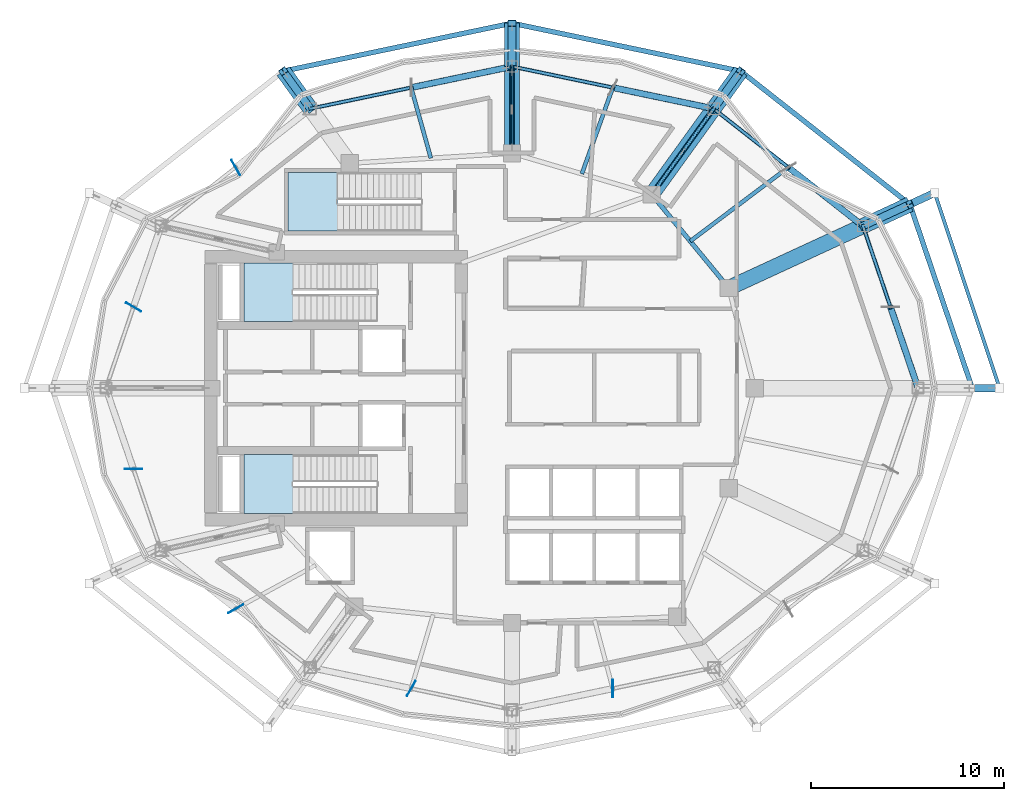
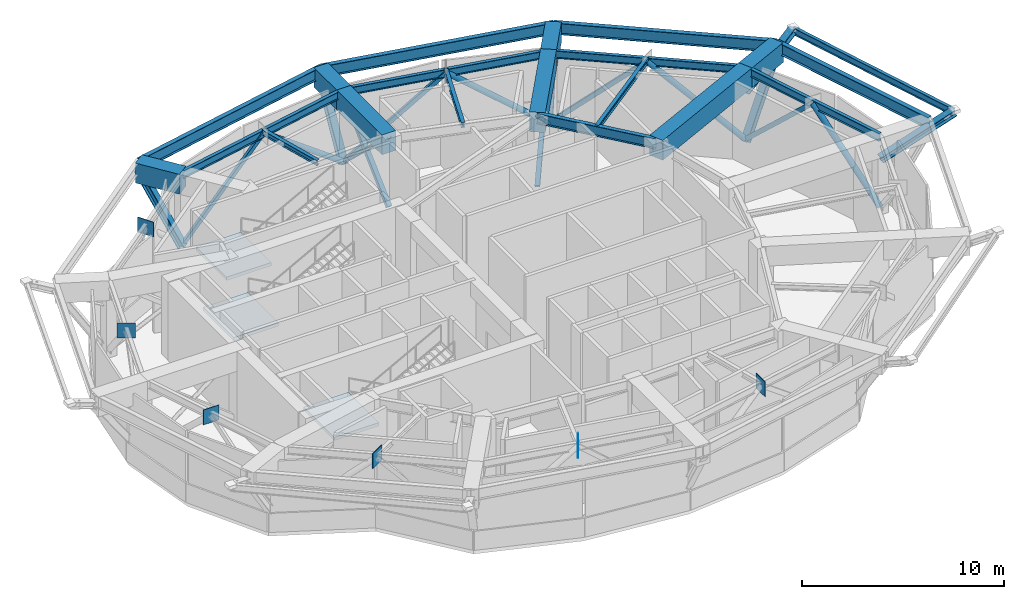
# One storey, part 3 of 13: 20 beams, 20 members, 6 plates, 3 slabs, 3 elements without a shape of their own.
"""IFC4 building model written with IfcOpenShell, lengths in metres."""

from ifc_helpers import new_model, si_unit, direction, frame, origin, origin_2d, place, context, subcontext, project, spatial, polyline, rectangle, hollow_rectangle, hollow_circle, i_section, outline, extrude, material, layer, layer_set, material_profile, profile_set, type_object, element, aggregate, save


model = new_model("IFC4")

# Units and contexts
model_context = context("Model", 3, precision=1e-05, world=origin(), true_north=direction((0.0, 1.0)))
body_context = subcontext(model_context, "Body", "Model", "MODEL_VIEW")
ifc_project = project(units=[si_unit("LENGTHUNIT", "METRE"), si_unit("AREAUNIT", "SQUARE_METRE"), si_unit("VOLUMEUNIT", "CUBIC_METRE"), si_unit("PLANEANGLEUNIT", "RADIAN"), si_unit("MASSUNIT", "GRAM", prefix="KILO")], contexts=[model_context])

# Site, building, storey
site_placement = place(None, origin())
site = spatial("IfcSite", under=ifc_project, at=site_placement, CompositionType="ELEMENT")
building_placement = place(site_placement, origin())
building = spatial("IfcBuilding", under=site, at=building_placement, Name="Kolvaren Gate Tower and Convention Centre", CompositionType="ELEMENT")
storey_placement = place(building_placement, frame((0.0, 0.0, 186.89990234375)))
storey = spatial("IfcBuildingStorey", under=building, at=storey_placement, Name="L49", CompositionType="ELEMENT", Elevation=186.89990234375)

# Beams
ifc_material_1 = material(Name="Structural steel ASTM A992 Grade 345 MPa", Category="steel")
ifc_material_profile_1 = material_profile(ifc_material_1, i_section(OverallWidth=0.22998046875, OverallDepth=0.616943359375, WebThickness=0.01318359375, FlangeThickness=0.022216796875, at=origin_2d()), Name="W610X140")
ifc_profile_set_1 = profile_set([ifc_material_profile_1], Name="Structural steel ASTM A992 Grade 345 MPa")
beam_type_1 = type_object("IfcBeamType", Name="STR-BM-W610X140", PredefinedType="BEAM", material=ifc_profile_set_1)
beam_1_placement = place(storey_placement, frame((41.382080078125, 32.199462890625, 4.41162109375), z_axis=(-0.635884066011, 0.771784590798, 0.0), x_axis=(-0.771784590798, -0.635884066011, 0.0)))
element("IfcBeam", 1, at=beam_1_placement, inside=storey, type_object=beam_type_1, Name="Tower L49 Primary Ring Girder G-02", PredefinedType="BEAM", context=body_context, shape_type="SweptSolid", body=[
    extrude(i_section(OverallWidth=0.22998046875, OverallDepth=0.616943359375, WebThickness=0.01318359375, FlangeThickness=0.022216796875, at=origin_2d()), origin(), (0.0, 0.0, 1.0), 6.291259765625),
])
ifc_material_profile_2 = material_profile(ifc_material_1, i_section(OverallWidth=0.256103515625, OverallDepth=0.693115234375, WebThickness=0.014404296875, FlangeThickness=0.023681640625, at=origin_2d()), Name="W690X170")
ifc_profile_set_2 = profile_set([ifc_material_profile_2], Name="Structural steel ASTM A992 Grade 345 MPa")
beam_type_2 = type_object("IfcBeamType", Name="STR-BM-W690X170", PredefinedType="BEAM", material=ifc_profile_set_2)
beam_2_placement = place(storey_placement, frame((54.02490234375, 27.0, 4.37353515625), z_axis=(-0.321252507379, 0.946993572577, 0.0), x_axis=(-0.946993572577, -0.321252507379, 0.0)))
element("IfcBeam", 2, at=beam_2_placement, inside=storey, type_object=beam_type_2, Name="Tower L49 Flare Perimeter Edge Girder FSP-01", PredefinedType="BEAM", context=body_context, shape_type="SweptSolid", body=[
    extrude(i_section(OverallWidth=0.256103515625, OverallDepth=0.693115234375, WebThickness=0.014404296875, FlangeThickness=0.023681640625, at=origin_2d()), origin(), (0.0, 0.0, 1.0), 10.077880859375),
])
beam_3_placement = place(storey_placement, frame((50.787353515625, 36.543701171875, 4.37353515625), z_axis=(-0.78579365551, 0.618488747643, 0.0), x_axis=(-0.618488747643, -0.78579365551, 0.0)))
element("IfcBeam", 3, at=beam_3_placement, inside=storey, type_object=beam_type_2, Name="Tower L49 Flare Perimeter Edge Girder FSP-02", PredefinedType="BEAM", context=body_context, shape_type="SweptSolid", body=[
    extrude(i_section(OverallWidth=0.256103515625, OverallDepth=0.693115234375, WebThickness=0.014404296875, FlangeThickness=0.023681640625, at=origin_2d()), origin(), (0.0, 0.0, 1.0), 11.179443359375),
])
for number, where, z_axis, x_axis, name in (
    (4, (42.002685546875, 43.4580078125, 4.37353515625), (-0.978692765917, 0.205330148645, 0.0), (-0.205330148645, -0.978692765917, 0.0), "Tower L49 Flare Perimeter Edge Girder FSP-03"),
    (5, (30.125, 45.949951171875, 4.37353515625), (-0.978692765917, -0.205330148645, 0.0), (0.205330148645, -0.978692765917, 0.0), "Tower L49 Flare Perimeter Edge Girder FSP-04"),
):
    element("IfcBeam", number, at=place(storey_placement, frame(where, z_axis=z_axis, x_axis=x_axis)), inside=storey, type_object=beam_type_2, Name=name, PredefinedType="BEAM", context=body_context, shape_type="SweptSolid", body=[
        extrude(i_section(OverallWidth=0.256103515625, OverallDepth=0.693115234375, WebThickness=0.014404296875, FlangeThickness=0.023681640625, at=origin_2d()), origin(), (0.0, 0.0, 1.0), 12.13623046875),
    ])

# Members
ifc_material_2 = material(Name="Structural steel ASTM A500 Grade C 345 MPa", Category="steel")
ifc_material_profile_3 = material_profile(ifc_material_2, hollow_circle(Radius=0.162109375, WallThickness=0.015869140625, at=origin_2d()), Name="CHS324X15.9")
ifc_profile_set_3 = profile_set([ifc_material_profile_3], Name="Structural steel ASTM A500 Grade C 345 MPa")
member_type_1 = type_object("IfcMemberType", Name="STR-BR-CHS324", PredefinedType="BRACE", material=ifc_profile_set_3)
member_1_placement = place(storey_placement, frame((51.21240234375, 27.0, 0.25), z_axis=(-0.232953891756, 0.6855023123, 0.689796393254), x_axis=(-0.946821940386, -0.321758004102, 0.0)))
element("IfcMember", 6, at=member_1_placement, inside=storey, type_object=member_type_1, Name="Perimeter Belt Truss Diagonal BT-L49-01A", PredefinedType="BRACE", context=body_context, shape_type="SweptSolid", body=[
    extrude(hollow_circle(Radius=0.162109375, WallThickness=0.015869140625, at=origin_2d()), origin(), (0.0, 0.0, 1.0), 6.140380859375),
])
member_2_placement = place(storey_placement, frame((48.351806640625, 35.418701171875, 0.25), z_axis=(-0.596558258833, 0.468517768727, 0.65162055232), x_axis=(-0.617653154697, -0.786450621777, 0.0)))
element("IfcMember", 7, at=member_2_placement, inside=storey, type_object=member_type_1, Name="Perimeter Belt Truss Diagonal BT-L49-02A", PredefinedType="BRACE", context=body_context, shape_type="SweptSolid", body=[
    extrude(hollow_circle(Radius=0.162109375, WallThickness=0.015869140625, at=origin_2d()), origin(), (0.0, 0.0, 1.0), 6.5),
])
member_3_placement = place(storey_placement, frame((40.596435546875, 41.509521484375, 0.25), z_axis=(-0.767377133118, 0.160517290831, 0.620778974283), x_axis=(-0.204745195671, -0.978815306812, 0.0)))
element("IfcMember", 8, at=member_3_placement, inside=storey, type_object=member_type_1, Name="Perimeter Belt Truss Diagonal BT-L49-03A", PredefinedType="BRACE", context=body_context, shape_type="SweptSolid", body=[
    extrude(hollow_circle(Radius=0.162109375, WallThickness=0.015869140625, at=origin_2d()), origin(), (0.0, 0.0, 1.0), 6.822998046875),
])
member_4_placement = place(storey_placement, frame((30.125, 43.699951171875, 0.25), z_axis=(-0.767362421445, -0.160521698419, 0.620796020035), x_axis=(0.204754342865, -0.978813393389, 0.0)))
element("IfcMember", 9, at=member_4_placement, inside=storey, type_object=member_type_1, Name="Perimeter Belt Truss Diagonal BT-L49-04A", PredefinedType="BRACE", context=body_context, shape_type="SweptSolid", body=[
    extrude(hollow_circle(Radius=0.162109375, WallThickness=0.015869140625, at=origin_2d()), origin(), (0.0, 0.0, 1.0), 6.82275390625),
])
ifc_material_profile_4 = material_profile(ifc_material_2, hollow_rectangle(XDim=0.152099609375, YDim=0.25390625, WallThickness=0.009521484375, at=origin_2d()), Name="HSS254X152X9.5")
ifc_profile_set_4 = profile_set([ifc_material_profile_4], Name="Structural steel ASTM A500 Grade C 345 MPa")
member_type_2 = type_object("IfcMemberType", Name="STR-BR-HSS254X152", PredefinedType="BRACE", material=ifc_profile_set_4)
member_5_placement = place(storey_placement, frame((48.351806640625, 35.418701171875, 0.25), z_axis=(0.232909940592, -0.685529736374, 0.689783980765), x_axis=(0.946844353058, 0.321692043859, 0.0)))
element("IfcMember", 10, at=member_5_placement, inside=storey, type_object=member_type_2, Name="Perimeter Belt Truss Diagonal BT-L49-01B", PredefinedType="BRACE", context=body_context, shape_type="SweptSolid", body=[
    extrude(hollow_rectangle(XDim=0.152099609375, YDim=0.25390625, WallThickness=0.009521484375, at=origin_2d()), origin(), (0.0, 0.0, 1.0), 6.140380859375),
])
member_6_placement = place(storey_placement, frame((40.596435546875, 41.509521484375, 0.25), z_axis=(0.596558258833, -0.468517768727, 0.65162055232), x_axis=(0.617653154697, 0.786450621777, 0.0)))
element("IfcMember", 11, at=member_6_placement, inside=storey, type_object=member_type_2, Name="Perimeter Belt Truss Diagonal BT-L49-02B", PredefinedType="BRACE", context=body_context, shape_type="SweptSolid", body=[
    extrude(hollow_rectangle(XDim=0.152099609375, YDim=0.25390625, WallThickness=0.009521484375, at=origin_2d()), origin(), (0.0, 0.0, 1.0), 6.5),
])
for number, where, z_axis, x_axis, name in (
    (12, (30.125, 43.699951171875, 0.25), (0.767362421445, -0.160521698419, 0.620796020035), (0.204754342865, 0.978813393389, 0.0), "Perimeter Belt Truss Diagonal BT-L49-03B"),
    (13, (19.65380859375, 41.509521484375, 0.25), (0.767362421445, 0.160521698419, 0.620796020035), (-0.204754342865, 0.978813393389, 0.0), "Perimeter Belt Truss Diagonal BT-L49-04B"),
):
    element("IfcMember", number, at=place(storey_placement, frame(where, z_axis=z_axis, x_axis=x_axis)), inside=storey, type_object=member_type_2, Name=name, PredefinedType="BRACE", context=body_context, shape_type="SweptSolid", body=[
        extrude(hollow_rectangle(XDim=0.152099609375, YDim=0.25390625, WallThickness=0.009521484375, at=origin_2d()), origin(), (0.0, 0.0, 1.0), 6.82275390625),
    ])
ifc_material_profile_5 = material_profile(ifc_material_2, hollow_rectangle(XDim=0.25390625, YDim=0.25390625, WallThickness=0.015869140625, at=origin_2d()), Name="HSS254X254X15.9")
ifc_profile_set_5 = profile_set([ifc_material_profile_5], Name="Structural steel ASTM A500 Grade C 345 MPa")
member_type_3 = type_object("IfcMemberType", Name="STR-BR-HSS254X254", PredefinedType="BRACE", material=ifc_profile_set_5)
member_7_placement = place(storey_placement, frame((37.381591796875, 37.054931640625, 0.25), z_axis=(0.463449263267, 0.642170052974, 0.610600035572), x_axis=(-0.810883088169, 0.58520818289, 0.0)))
element("IfcMember", 14, at=member_7_placement, inside=storey, type_object=member_type_3, Name="Outrigger Truss Diagonal OT-L49-04A", PredefinedType="BRACE", context=body_context, shape_type="SweptSolid", body=[
    extrude(hollow_rectangle(XDim=0.25390625, YDim=0.25390625, WallThickness=0.015869140625, at=origin_2d()), origin(), (0.0, 0.0, 1.0), 6.936767578125),
])
member_8_placement = place(storey_placement, frame((30.125, 39.199951171875, 0.25), z_axis=(0.0, 0.728175636205, 0.685390576852), x_axis=(-1.0, 0.0, 0.0)))
element("IfcMember", 15, at=member_8_placement, inside=storey, type_object=member_type_3, Name="Outrigger Truss Diagonal OT-L49-05A", PredefinedType="BRACE", context=body_context, shape_type="SweptSolid", body=[
    extrude(hollow_rectangle(XDim=0.25390625, YDim=0.25390625, WallThickness=0.015869140625, at=origin_2d()), origin(), (0.0, 0.0, 1.0), 6.179931640625),
])
ifc_material_profile_6 = material_profile(ifc_material_1, i_section(OverallWidth=0.39501953125, OverallDepth=0.3798828125, WebThickness=0.018798828125, FlangeThickness=0.0302734375, at=origin_2d()), Name="W360X237")
ifc_profile_set_6 = profile_set([ifc_material_profile_6], Name="Structural steel ASTM A992 Grade 345 MPa")
member_type_4 = type_object("IfcMemberType", Name="STR-CH-W360X237", PredefinedType="CHORD", material=ifc_profile_set_6)
member_9_placement = place(storey_placement, frame((48.351806640625, 35.418701171875, 0.10009765625), z_axis=(0.503939045446, 0.232773769187, 0.831782309774), x_axis=(-0.41933515781, 0.907831496162, 0.0)))
element("IfcMember", 16, at=member_9_placement, inside=storey, type_object=member_type_4, Name="Waist Flare Inclined Transfer Strut FTS-02", PredefinedType="CHORD", context=body_context, shape_type="SweptSolid", body=[
    extrude(i_section(OverallWidth=0.39501953125, OverallDepth=0.3798828125, WebThickness=0.018798828125, FlangeThickness=0.0302734375, at=origin_2d()), origin(), (0.0, 0.0, 1.0), 4.8330078125),
])
member_10_placement = place(storey_placement, frame((40.596435546875, 41.509521484375, 0.10009765625), z_axis=(0.30025948463, 0.416036622713, 0.858345950332), x_axis=(-0.810874759264, 0.585219723513, 0.0)))
element("IfcMember", 17, at=member_10_placement, inside=storey, type_object=member_type_4, Name="Waist Flare Inclined Transfer Strut FTS-03", PredefinedType="CHORD", context=body_context, shape_type="SweptSolid", body=[
    extrude(i_section(OverallWidth=0.39501953125, OverallDepth=0.3798828125, WebThickness=0.018798828125, FlangeThickness=0.0302734375, at=origin_2d()), origin(), (0.0, 0.0, 1.0), 4.683349609375),
])
member_11_placement = place(storey_placement, frame((30.125, 43.699951171875, 0.10009765625), z_axis=(0.0, 0.488403252613, 0.872618050946), x_axis=(-1.0, 0.0, 0.0)))
element("IfcMember", 18, at=member_11_placement, inside=storey, type_object=member_type_4, Name="Waist Flare Inclined Transfer Strut FTS-04", PredefinedType="CHORD", context=body_context, shape_type="SweptSolid", body=[
    extrude(i_section(OverallWidth=0.39501953125, OverallDepth=0.3798828125, WebThickness=0.018798828125, FlangeThickness=0.0302734375, at=origin_2d()), origin(), (0.0, 0.0, 1.0), 4.60693359375),
])
member_12_placement = place(storey_placement, frame((19.65380859375, 41.509521484375, 0.10009765625), z_axis=(-0.300306912225, 0.416030110479, 0.858332514615), x_axis=(-0.810826545818, -0.585286521797, 0.0)))
element("IfcMember", 19, at=member_12_placement, inside=storey, type_object=member_type_4, Name="Waist Flare Inclined Transfer Strut FTS-05", PredefinedType="CHORD", context=body_context, shape_type="SweptSolid", body=[
    extrude(i_section(OverallWidth=0.39501953125, OverallDepth=0.3798828125, WebThickness=0.018798828125, FlangeThickness=0.0302734375, at=origin_2d()), origin(), (0.0, 0.0, 1.0), 4.68359375),
])
member_13_placement = place(storey_placement, frame((51.21240234375, 27.0, 3.170166015625), z_axis=(0.950055194277, 0.0, 0.312081924866), x_axis=(0.0, 1.0, 0.0)))
element("IfcMember", 20, at=member_13_placement, inside=storey, type_object=member_type_4, Name="Tower L50 Planted Balcony Inclined Outrigger Strut BBRK-1A", PredefinedType="CHORD", context=body_context, shape_type="SweptSolid", body=[
    extrude(i_section(OverallWidth=0.39501953125, OverallDepth=0.3798828125, WebThickness=0.018798828125, FlangeThickness=0.0302734375, at=origin_2d()), origin(), (0.0, 0.0, 1.0), 4.455078125),
])
member_14_placement = place(storey_placement, frame((48.351806640625, 35.418701171875, 3.170166015625), z_axis=(0.85981753301, 0.397107651913, 0.32096623299), x_axis=(-0.419292130897, 0.907851369425, 0.0)))
element("IfcMember", 21, at=member_14_placement, inside=storey, type_object=member_type_4, Name="Tower L50 Planted Balcony Inclined Outrigger Strut BBRK-1B", PredefinedType="CHORD", context=body_context, shape_type="SweptSolid", body=[
    extrude(i_section(OverallWidth=0.39501953125, OverallDepth=0.3798828125, WebThickness=0.018798828125, FlangeThickness=0.0302734375, at=origin_2d()), origin(), (0.0, 0.0, 1.0), 4.331787109375),
])

# Beams
ifc_material_profile_7 = material_profile(ifc_material_1, i_section(OverallWidth=0.205078125, OverallDepth=0.31005859375, WebThickness=0.009521484375, FlangeThickness=0.016357421875, at=origin_2d()), Name="W310X74")
ifc_profile_set_7 = profile_set([ifc_material_profile_7], Name="Structural steel ASTM A992 Grade 345 MPa")
beam_type_3 = type_object("IfcBeamType", Name="STR-JS-W310X74", PredefinedType="JOIST", material=ifc_profile_set_7)
beam_4_placement = place(storey_placement, frame((39.3818359375, 34.627197265625, 4.565185546875), z_axis=(0.798665513939, 0.601775204577, 0.0), x_axis=(-0.601775204577, 0.798665513939, 0.0)))
element("IfcBeam", 22, at=beam_4_placement, inside=storey, type_object=beam_type_3, Name="Tower L49 Secondary Composite Floor Joist J-02.1", PredefinedType="JOIST", context=body_context, shape_type="SweptSolid", body=[
    extrude(i_section(OverallWidth=0.205078125, OverallDepth=0.31005859375, WebThickness=0.009521484375, FlangeThickness=0.016357421875, at=origin_2d()), origin(), (0.0, 0.0, 1.0), 6.3759765625),
])
beam_5_placement = place(storey_placement, frame((33.75341796875, 38.12744140625, 4.565185546875), z_axis=(0.33785426197, 0.941198436924, 0.0), x_axis=(-0.941198436924, 0.33785426197, 0.0)))
element("IfcBeam", 23, at=beam_5_placement, inside=storey, type_object=beam_type_3, Name="Tower L49 Secondary Composite Floor Joist J-03.1", PredefinedType="JOIST", context=body_context, shape_type="SweptSolid", body=[
    extrude(i_section(OverallWidth=0.205078125, OverallDepth=0.31005859375, WebThickness=0.009521484375, FlangeThickness=0.016357421875, at=origin_2d()), origin(), (0.0, 0.0, 1.0), 4.757080078125),
])
beam_6_placement = place(storey_placement, frame((25.91162109375, 38.938232421875, 4.565185546875), z_axis=(-0.26855678261, 0.963263855085, 0.0), x_axis=(-0.963263855085, -0.26855678261, 0.0)))
element("IfcBeam", 24, at=beam_6_placement, inside=storey, type_object=beam_type_3, Name="Tower L49 Secondary Composite Floor Joist J-04.1", PredefinedType="JOIST", context=body_context, shape_type="SweptSolid", body=[
    extrude(i_section(OverallWidth=0.205078125, OverallDepth=0.31005859375, WebThickness=0.009521484375, FlangeThickness=0.016357421875, at=origin_2d()), origin(), (0.0, 0.0, 1.0), 3.806396484375),
])
ifc_material_profile_8 = material_profile(ifc_material_1, i_section(OverallWidth=0.180908203125, OverallDepth=0.4169921875, WebThickness=0.010986328125, FlangeThickness=0.018310546875, at=origin_2d()), Name="W410X85")
ifc_profile_set_8 = profile_set([ifc_material_profile_8], Name="Structural steel ASTM A992 Grade 345 MPa")
beam_type_4 = type_object("IfcBeamType", Name="STR-SP-W410X85", PredefinedType="SPANDREL", material=ifc_profile_set_8)
beam_7_placement = place(storey_placement, frame((55.445068359375, 27.0, 4.51220703125), z_axis=(-0.315302138185, 0.948991339084, 0.0), x_axis=(-0.948991339084, -0.315302138185, 0.0)))
element("IfcBeam", 25, at=beam_7_placement, inside=storey, type_object=beam_type_4, Name="Tower L50 Planted Balcony Header Tie Beam BT-1", PredefinedType="SPANDREL", context=body_context, shape_type="SweptSolid", body=[
    extrude(i_section(OverallWidth=0.180908203125, OverallDepth=0.4169921875, WebThickness=0.010986328125, FlangeThickness=0.018310546875, at=origin_2d()), origin(), (0.0, 0.0, 1.0), 10.683837890625),
])
ifc_material_profile_9 = material_profile(ifc_material_1, i_section(OverallWidth=0.194091796875, OverallDepth=0.468994140625, WebThickness=0.0126953125, FlangeThickness=0.0205078125, at=origin_2d()), Name="W460X106")
ifc_profile_set_9 = profile_set([ifc_material_profile_9], Name="Structural steel ASTM A992 Grade 345 MPa")
beam_type_5 = type_object("IfcBeamType", Name="STR-SP-W460X106", PredefinedType="SPANDREL", material=ifc_profile_set_9)
beam_8_placement = place(storey_placement, frame((51.21240234375, 27.0, 4.485595703125), z_axis=(-0.321725023609, 0.946833147489, 0.0), x_axis=(-0.946833147489, -0.321725023609, 0.0)))
element("IfcBeam", 26, at=beam_8_placement, inside=storey, type_object=beam_type_5, Name="Tower L49 Perimeter Spandrel Beam SP-01", PredefinedType="SPANDREL", context=body_context, shape_type="SweptSolid", body=[
    extrude(i_section(OverallWidth=0.194091796875, OverallDepth=0.468994140625, WebThickness=0.0126953125, FlangeThickness=0.0205078125, at=origin_2d()), origin(), (0.0, 0.0, 1.0), 8.891357421875),
])
beam_9_placement = place(storey_placement, frame((48.351806640625, 35.418701171875, 4.485595703125), z_axis=(-0.786450621777, 0.617653154697, 0.0), x_axis=(-0.617653154697, -0.786450621777, 0.0)))
element("IfcBeam", 27, at=beam_9_placement, inside=storey, type_object=beam_type_5, Name="Tower L49 Perimeter Spandrel Beam SP-02", PredefinedType="SPANDREL", context=body_context, shape_type="SweptSolid", body=[
    extrude(i_section(OverallWidth=0.194091796875, OverallDepth=0.468994140625, WebThickness=0.0126953125, FlangeThickness=0.0205078125, at=origin_2d()), origin(), (0.0, 0.0, 1.0), 9.861328125),
])
beam_10_placement = place(storey_placement, frame((40.596435546875, 41.509521484375, 4.485595703125), z_axis=(-0.978814350133, 0.204749769168, 0.0), x_axis=(-0.204749769168, -0.978814350133, 0.0)))
element("IfcBeam", 28, at=beam_10_placement, inside=storey, type_object=beam_type_5, Name="Tower L49 Perimeter Spandrel Beam SP-03", PredefinedType="SPANDREL", context=body_context, shape_type="SweptSolid", body=[
    extrude(i_section(OverallWidth=0.194091796875, OverallDepth=0.468994140625, WebThickness=0.0126953125, FlangeThickness=0.0205078125, at=origin_2d()), origin(), (0.0, 0.0, 1.0), 10.697998046875),
])
beam_11_placement = place(storey_placement, frame((30.125, 43.699951171875, 4.485595703125), z_axis=(-0.978813393389, -0.204754342865, 0.0), x_axis=(0.204754342865, -0.978813393389, 0.0)))
element("IfcBeam", 29, at=beam_11_placement, inside=storey, type_object=beam_type_5, Name="Tower L49 Perimeter Spandrel Beam SP-04", PredefinedType="SPANDREL", context=body_context, shape_type="SweptSolid", body=[
    extrude(i_section(OverallWidth=0.194091796875, OverallDepth=0.468994140625, WebThickness=0.0126953125, FlangeThickness=0.0205078125, at=origin_2d()), origin(), (0.0, 0.0, 1.0), 10.69775390625),
])

# Members
ifc_material_profile_10 = material_profile(ifc_material_2, hollow_circle(Radius=0.109619140625, WallThickness=0.0126953125, at=origin_2d()), Name="CHS219X12.7")
ifc_profile_set_10 = profile_set([ifc_material_profile_10], Name="Structural steel ASTM A500 Grade C 345 MPa")
member_type_5 = type_object("IfcMemberType", Name="STR-ST-CHS219", PredefinedType="STRUT", material=ifc_profile_set_10)
member_15_placement = place(storey_placement, frame((40.596435546875, 41.509521484375, 0.25), z_axis=(-0.463439303712, -0.642156252698, 0.610622108096), x_axis=(0.810883088169, -0.58520818289, 0.0)))
element("IfcMember", 30, at=member_15_placement, inside=storey, type_object=member_type_5, Name="Outrigger Truss Lower Counter-Strut OT-L49-04BA", PredefinedType="STRUT", context=body_context, shape_type="SweptSolid", body=[
    extrude(hollow_circle(Radius=0.109619140625, WallThickness=0.0126953125, at=origin_2d()), origin(), (0.0, 0.0, 1.0), 3.468505859375),
])
member_16_placement = place(storey_placement, frame((38.989013671875, 39.2822265625, 2.367919921875), z_axis=(-0.463459222889, -0.642183853344, 0.610577961625), x_axis=(0.810883088169, -0.58520818289, 0.0)))
element("IfcMember", 31, at=member_16_placement, inside=storey, type_object=member_type_5, Name="Outrigger Truss Upper Counter-Strut OT-L49-04BB", PredefinedType="STRUT", context=body_context, shape_type="SweptSolid", body=[
    extrude(hollow_circle(Radius=0.109619140625, WallThickness=0.0126953125, at=origin_2d()), origin(), (0.0, 0.0, 1.0), 3.46826171875),
])
member_17_placement = place(storey_placement, frame((30.125, 43.699951171875, 0.25), z_axis=(0.0, -0.728155919569, 0.685411523683), x_axis=(1.0, 0.0, 0.0)))
element("IfcMember", 32, at=member_17_placement, inside=storey, type_object=member_type_5, Name="Outrigger Truss Lower Counter-Strut OT-L49-05BA", PredefinedType="STRUT", context=body_context, shape_type="SweptSolid", body=[
    extrude(hollow_circle(Radius=0.109619140625, WallThickness=0.0126953125, at=origin_2d()), origin(), (0.0, 0.0, 1.0), 3.090087890625),
])
member_18_placement = place(storey_placement, frame((30.125, 41.449951171875, 2.367919921875), z_axis=(0.0, -0.728195353307, 0.685369628319), x_axis=(1.0, 0.0, 0.0)))
element("IfcMember", 33, at=member_18_placement, inside=storey, type_object=member_type_5, Name="Outrigger Truss Upper Counter-Strut OT-L49-05BB", PredefinedType="STRUT", context=body_context, shape_type="SweptSolid", body=[
    extrude(hollow_circle(Radius=0.109619140625, WallThickness=0.0126953125, at=origin_2d()), origin(), (0.0, 0.0, 1.0), 3.08984375),
])

# Beams
ifc_material_3 = material(Name="Concrete C70/85", Category="concrete")
ifc_material_profile_11 = material_profile(ifc_material_3, rectangle(XDim=0.800048828125, YDim=1.199951171875, at=origin_2d()), Name="RC-BM-800X1200")
ifc_profile_set_11 = profile_set([ifc_material_profile_11], Name="Concrete C70/85")
beam_type_6 = type_object("IfcBeamType", Name="STR-TG-RC800X1200", PredefinedType="USERDEFINED", material=ifc_profile_set_11)
beam_12_placement = place(storey_placement, frame((41.382080078125, 32.199462890625, 4.12060546875), z_axis=(0.907838349939, 0.419320319542, 0.0), x_axis=(-0.419320319542, 0.907838349939, 0.0)))
element("IfcBeam", 34, at=beam_12_placement, inside=storey, type_object=beam_type_6, Name="Tower L49 Zone-Transition Radial Transfer Girder XFG-02A", ObjectType="TRANSFER GIRDER", PredefinedType="USERDEFINED", context=body_context, shape_type="SweptSolid", body=[
    extrude(rectangle(XDim=0.800048828125, YDim=1.199951171875, at=origin_2d()), origin(), (0.0, 0.0, 1.0), 7.67724609375),
])
beam_13_placement = place(storey_placement, frame((48.351806640625, 35.418701171875, 4.12060546875), z_axis=(0.907831496162, 0.41933515781, 0.0), x_axis=(-0.41933515781, 0.907831496162, 0.0)))
element("IfcBeam", 35, at=beam_13_placement, inside=storey, type_object=beam_type_6, Name="Tower L49 Zone-Transition Radial Transfer Girder XFG-02B", ObjectType="TRANSFER GIRDER", PredefinedType="USERDEFINED", context=body_context, shape_type="SweptSolid", body=[
    extrude(rectangle(XDim=0.800048828125, YDim=1.199951171875, at=origin_2d()), origin(), (0.0, 0.0, 1.0), 2.682861328125),
])
beam_14_placement = place(storey_placement, frame((37.381591796875, 37.054931640625, 4.12060546875), z_axis=(0.58520818289, 0.810883088169, 0.0), x_axis=(-0.810883088169, 0.58520818289, 0.0)))
element("IfcBeam", 36, at=beam_14_placement, inside=storey, type_object=beam_type_6, Name="Tower L49 Zone-Transition Radial Transfer Girder XFG-03A", ObjectType="TRANSFER GIRDER", PredefinedType="USERDEFINED", context=body_context, shape_type="SweptSolid", body=[
    extrude(rectangle(XDim=0.800048828125, YDim=1.199951171875, at=origin_2d()), origin(), (0.0, 0.0, 1.0), 5.493408203125),
])
beam_15_placement = place(storey_placement, frame((40.596435546875, 41.509521484375, 4.12060546875), z_axis=(0.585219723513, 0.810874759264, 0.0), x_axis=(-0.810874759264, 0.585219723513, 0.0)))
element("IfcBeam", 37, at=beam_15_placement, inside=storey, type_object=beam_type_6, Name="Tower L49 Zone-Transition Radial Transfer Girder XFG-03B", ObjectType="TRANSFER GIRDER", PredefinedType="USERDEFINED", context=body_context, shape_type="SweptSolid", body=[
    extrude(rectangle(XDim=0.800048828125, YDim=1.199951171875, at=origin_2d()), origin(), (0.0, 0.0, 1.0), 2.40283203125),
])
beam_16_placement = place(storey_placement, frame((30.125, 39.199951171875, 4.12060546875), z_axis=(0.0, 1.0, 0.0), x_axis=(-1.0, 0.0, 0.0)))
element("IfcBeam", 38, at=beam_16_placement, inside=storey, type_object=beam_type_6, Name="Tower L49 Zone-Transition Radial Transfer Girder XFG-04A", ObjectType="TRANSFER GIRDER", PredefinedType="USERDEFINED", context=body_context, shape_type="SweptSolid", body=[
    extrude(rectangle(XDim=0.800048828125, YDim=1.199951171875, at=origin_2d()), origin(), (0.0, 0.0, 1.0), 4.5),
])
beam_17_placement = place(storey_placement, frame((30.125, 43.699951171875, 4.12060546875), z_axis=(0.0, 1.0, 0.0), x_axis=(-1.0, 0.0, 0.0)))
element("IfcBeam", 39, at=beam_17_placement, inside=storey, type_object=beam_type_6, Name="Tower L49 Zone-Transition Radial Transfer Girder XFG-04B", ObjectType="TRANSFER GIRDER", PredefinedType="USERDEFINED", context=body_context, shape_type="SweptSolid", body=[
    extrude(rectangle(XDim=0.800048828125, YDim=1.199951171875, at=origin_2d()), origin(), (0.0, 0.0, 1.0), 2.25),
])
beam_18_placement = place(storey_placement, frame((19.65380859375, 41.509521484375, 4.12060546875), z_axis=(-0.585286521797, 0.810826545818, 0.0), x_axis=(-0.810826545818, -0.585286521797, 0.0)))
element("IfcBeam", 40, at=beam_18_placement, inside=storey, type_object=beam_type_6, Name="Tower L49 Zone-Transition Radial Transfer Girder XFG-05B", ObjectType="TRANSFER GIRDER", PredefinedType="USERDEFINED", context=body_context, shape_type="SweptSolid", body=[
    extrude(rectangle(XDim=0.800048828125, YDim=1.199951171875, at=origin_2d()), origin(), (0.0, 0.0, 1.0), 2.403076171875),
])

# Plates
ifc_material_4 = material(Name="Structural steel plate ASTM A572 Grade 345 MPa", Category="steel")
ifc_layer_1 = layer(ifc_material_4, 0.035888671875)
ifc_layer_set_1 = layer_set([ifc_layer_1], Name="Structural steel plate ASTM A572 Grade 345 MPa")
plate_type = type_object("IfcPlateType", Name="STR-PL-GUSSET-36", PredefinedType="USERDEFINED", material=ifc_layer_set_1)
for number, where, z_axis, x_axis, name in (
    (41, (15.77587890625, 38.464111328125, 4.03564453125), (0.0, 0.0, 1.0), (-0.5, 0.866025403784, 0.0), "Belt Truss Concentric Node Gusset Plate GP-L49-05"),
    (42, (10.468017578125, 31.209228515625, 4.03564453125), (0.0, 0.0, 1.0), (-0.866025403784, 0.5, 0.0), "Belt Truss Concentric Node Gusset Plate GP-L49-06"),
    (43, (10.468017578125, 22.790771484375, 4.03564453125), (0.0, 0.0, 1.0), (-1.0, 0.0, 0.0), "Belt Truss Concentric Node Gusset Plate GP-L49-07"),
    (44, (15.77587890625, 15.535888671875, 4.03564453125), (0.0, 0.0, 1.0), (-0.866025403784, -0.5, 0.0), "Belt Truss Concentric Node Gusset Plate GP-L49-08"),
    (45, (24.889404296875, 11.395263671875, 4.03564453125), (0.0, 0.0, 1.0), (-0.5, -0.866025403784, 0.0), "Belt Truss Concentric Node Gusset Plate GP-L49-09"),
    (46, (35.360595703125, 11.395263671875, 4.03564453125), (0.0, 0.0, 1.0), (0.0, -1.0, 0.0), "Belt Truss Concentric Node Gusset Plate GP-L49-10"),
):
    element("IfcPlate", number, at=place(storey_placement, frame(where, z_axis=z_axis, x_axis=x_axis)), inside=storey, type_object=plate_type, Name=name, ObjectType="GUSSET PLATE", PredefinedType="USERDEFINED", context=body_context, shape_type="SweptSolid", body=[
        extrude(rectangle(XDim=0.89990234375, YDim=0.035888671875, at=origin_2d()), origin(), (0.0, 0.0, 1.0), 0.89990234375),
    ])

# Stair, slab
ifc_material_5 = material(Name="Concrete C50/60", Category="concrete")
stair_type = type_object("IfcStairType", Name="STR-STAIR-CORE", PredefinedType="HALF_TURN_STAIR", material=ifc_material_5)
stair_1_placement = place(storey_placement, origin())
stair_1 = element("IfcStair", 47, at=stair_1_placement, inside=storey, type_object=stair_type, Name="L49 Tower North Exit Stair ST-T1", PredefinedType="HALF_TURN_STAIR")
ifc_layer_2 = layer(ifc_material_5, 0.199951171875)
ifc_layer_set_2 = layer_set([ifc_layer_2], Name="Concrete C50/60")
slab_type = type_object("IfcSlabType", Name="STR-SL-LAND-200", PredefinedType="LANDING", material=ifc_layer_set_2)
slab_1_placement = place(storey_placement, frame((0.0, 0.0, 2.300048828125)))
slab_1 = element("IfcSlab", 48, at=slab_1_placement, type_object=slab_type, Name="ST-T1 landing 1", PredefinedType="LANDING", context=body_context, shape_type="SweptSolid", body=[
    extrude(outline(polyline([(18.760009765625, 33.5), (16.199951171875, 33.5), (16.199951171875, 30.4599609375), (18.760009765625, 30.4599609375), (18.760009765625, 33.5)])), origin(), (0.0, 0.0, 1.0), 0.199951171875),
])
aggregate(stair_1, [slab_1])

stair_2_placement = place(storey_placement, origin())
stair_2 = element("IfcStair", 49, at=stair_2_placement, inside=storey, type_object=stair_type, Name="L49 Tower South Exit Stair ST-T2", PredefinedType="HALF_TURN_STAIR")
slab_2_placement = place(storey_placement, frame((0.0, 0.0, 2.300048828125)))
slab_2 = element("IfcSlab", 50, at=slab_2_placement, type_object=slab_type, Name="ST-T2 landing 1", PredefinedType="LANDING", context=body_context, shape_type="SweptSolid", body=[
    extrude(outline(polyline([(18.760009765625, 23.5400390625), (16.199951171875, 23.5400390625), (16.199951171875, 20.5), (18.760009765625, 20.5), (18.760009765625, 23.5400390625)])), origin(), (0.0, 0.0, 1.0), 0.199951171875),
])
aggregate(stair_2, [slab_2])

stair_3_placement = place(storey_placement, origin())
stair_3 = element("IfcStair", 51, at=stair_3_placement, inside=storey, type_object=stair_type, Name="L49 Tower Mid-Zone Exit Stair ST-T3", PredefinedType="HALF_TURN_STAIR")
slab_3_placement = place(storey_placement, frame((0.0, 0.0, 2.300048828125)))
slab_3 = element("IfcSlab", 52, at=slab_3_placement, type_object=slab_type, Name="ST-T3 landing 1", PredefinedType="LANDING", context=body_context, shape_type="SweptSolid", body=[
    extrude(outline(polyline([(21.06005859375, 38.199951171875), (18.5, 38.199951171875), (18.5, 35.159912109375), (21.06005859375, 35.159912109375), (21.06005859375, 38.199951171875)])), origin(), (0.0, 0.0, 1.0), 0.199951171875),
])
aggregate(stair_3, [slab_3])

save(model, "model.ifc")
